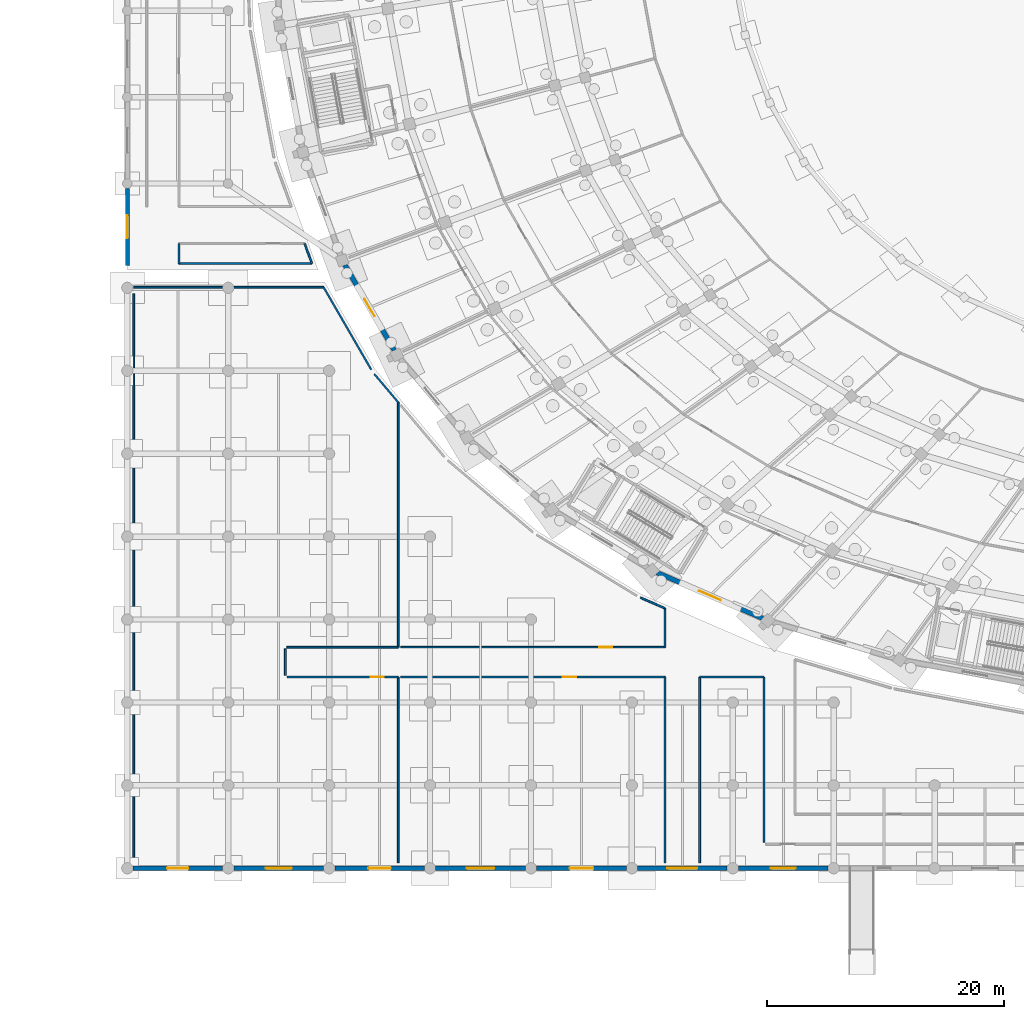
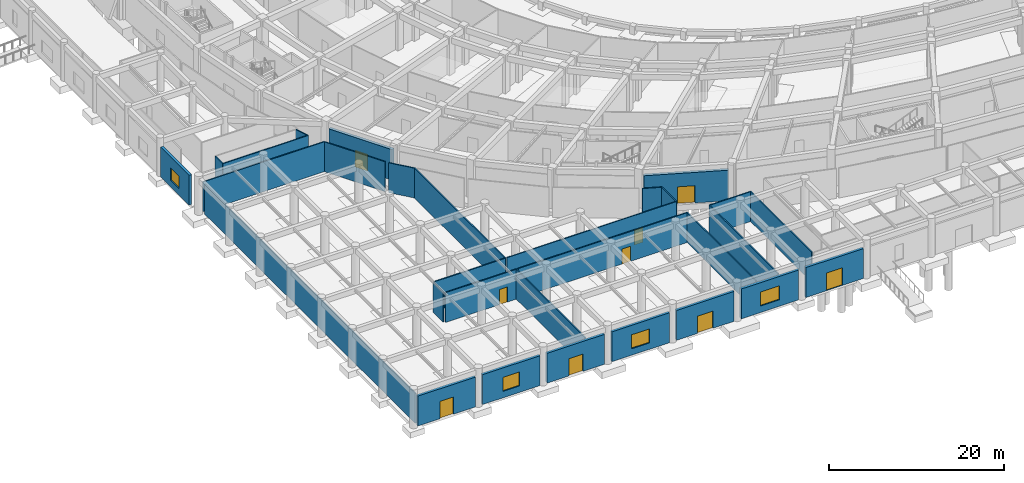
# One storey, part 40 of 88: 30 walls, 9 doors, 4 windows, 13 openings.
"""IFC4 building model written with IfcOpenShell, lengths in metres."""

from ifc_helpers import new_model, si_unit, direction, frame, frame_2d, origin, place, context, subcontext, project, spatial, rectangle, extrude, material, layer, layer_set, type_object, element, fill, save


model = new_model("IFC4")

# Units and contexts
model_context = context("Model", 3, precision=1e-05, world=origin(), true_north=direction((0.0, 1.0)))
body_context = subcontext(model_context, "Body", "Model", "MODEL_VIEW")
ifc_project = project(units=[si_unit("LENGTHUNIT", "METRE"), si_unit("AREAUNIT", "SQUARE_METRE"), si_unit("VOLUMEUNIT", "CUBIC_METRE"), si_unit("PLANEANGLEUNIT", "RADIAN"), si_unit("MASSUNIT", "GRAM", prefix="KILO")], contexts=[model_context])

# Site, building, storey
site_placement = place(None, origin())
site = spatial("IfcSite", under=ifc_project, at=site_placement, CompositionType="ELEMENT")
building_placement = place(site_placement, origin())
building = spatial("IfcBuilding", under=site, at=building_placement, Name="Mphavela Belvedere Stadium", CompositionType="ELEMENT")
storey_placement = place(building_placement, origin())
storey = spatial("IfcBuildingStorey", under=building, at=storey_placement, Name="L00", CompositionType="ELEMENT", Elevation=0.0)

# Wall, opening, door
ifc_material_1 = material(Name="Honed ashlar limestone masonry", Category="masonry")
ifc_layer_1 = layer(ifc_material_1, 0.35009765625)
ifc_layer_set_1 = layer_set([ifc_layer_1], Name="Honed ashlar limestone masonry")
wall_type_1 = type_object("IfcWallType", Name="WAL-EXT-ASHLAR-350", PredefinedType="STANDARD", material=ifc_layer_set_1)
wall_1_placement = place(storey_placement, frame((8.0458984375, 0.0, 0.0), z_axis=(0.0, 0.0, 1.0), x_axis=(-1.0, 0.0, 0.0)))
wall_1 = element("IfcWall", 1, at=wall_1_placement, inside=storey, type_object=wall_type_1, Name="South Axial Triumphal Peristyle Portico outer facade bay L00-01", PredefinedType="STANDARD", context=body_context, shape_type="SweptSolid", body=[
    extrude(rectangle(XDim=7.572998046875, YDim=0.35009765625, at=frame_2d((3.78662109375, 0.0))), origin(), (0.0, 0.0, 1.0), 4.159912109375),
])
opening_1_placement = place(wall_1_placement, frame((2.886474609375, 0.0, 0.0)))
opening_1 = element("IfcOpeningElement", 2, at=opening_1_placement, cuts=wall_1, Name="Opening ED-025", PredefinedType="OPENING", context=body_context, shape_type="SweptSolid", body=[
    extrude(rectangle(XDim=1.800048828125, YDim=2.39990234375, at=frame_2d((0.89990234375, 1.199951171875))), frame((0.0, 0.18505859375, 0.0), z_axis=(0.0, -1.0, 0.0), x_axis=(1.0, 0.0, 0.0)), (0.0, 0.0, 1.0), 0.3701171875),
])
ifc_material_2 = material(Name="Glazed bronze-anodised steel exit doorset", Category="steel")
door_type_1 = type_object("IfcDoorType", Name="DR-EXT-01", OperationType="NOTDEFINED", PredefinedType="DOOR", material=ifc_material_2)
door_1_placement = place(opening_1_placement, origin())
door_1 = element("IfcDoor", 3, at=door_1_placement, inside=storey, type_object=door_type_1, Name="South Axial Triumphal Peristyle Portico ceremonial exit doorset ED-025", OperationType="DOUBLE_DOOR_SINGLE_SWING", OverallHeight=2.39990234375, OverallWidth=1.800048828125, PredefinedType="DOOR", context=body_context, shape_type="SweptSolid", body=[
    extrude(rectangle(XDim=1.800048828125, YDim=2.39990234375, at=frame_2d((0.89990234375, 1.199951171875))), frame((0.0, 0.02490234375, 0.0), z_axis=(0.0, -1.0, 0.0), x_axis=(1.0, 0.0, 0.0)), (0.0, 0.0, 1.0), 0.050048828125),
])
fill(opening_1, door_1)

# Wall, opening, window
wall_2_placement = place(storey_placement, frame((16.56396484375, 0.0, 0.0), z_axis=(0.0, 0.0, 1.0), x_axis=(-1.0, 0.0, 0.0)))
wall_2 = element("IfcWall", 4, at=wall_2_placement, inside=storey, type_object=wall_type_1, Name="South Axial Triumphal Peristyle Portico outer facade bay L00-02", PredefinedType="STANDARD", context=body_context, shape_type="SweptSolid", body=[
    extrude(rectangle(XDim=7.572021484375, YDim=0.35009765625, at=frame_2d((3.7861328125, 0.0))), origin(), (0.0, 0.0, 1.0), 4.159912109375),
])
opening_2_placement = place(wall_2_placement, frame((2.676025390625, 0.0, 0.89990234375)))
opening_2 = element("IfcOpeningElement", 5, at=opening_2_placement, cuts=wall_2, Name="Opening W-031", PredefinedType="OPENING", context=body_context, shape_type="SweptSolid", body=[
    extrude(rectangle(XDim=2.219970703125, YDim=1.949951171875, at=frame_2d((1.10986328125, 0.97509765625))), frame((0.0, 0.18505859375, 0.0), z_axis=(0.0, -1.0, 0.0), x_axis=(1.0, 0.0, 0.0)), (0.0, 0.0, 1.0), 0.3701171875),
])
ifc_material_3 = material(Name="Bronze-anodised thermally broken aluminium window", Category="aluminium")
window_type_1 = type_object("IfcWindowType", Name="WIN-EXT-31", PartitioningType="SINGLE_PANEL", PredefinedType="WINDOW", material=ifc_material_3)
window_1_placement = place(opening_2_placement, origin())
window_1 = element("IfcWindow", 6, at=window_1_placement, inside=storey, type_object=window_type_1, Name="South Axial Triumphal Peristyle Portico classical window W-031", OverallHeight=1.949951171875, OverallWidth=2.219970703125, PartitioningType="SINGLE_PANEL", PredefinedType="WINDOW", context=body_context, shape_type="SweptSolid", body=[
    extrude(rectangle(XDim=2.219970703125, YDim=1.949951171875, at=frame_2d((1.10986328125, 0.97509765625))), frame((0.0, 0.030029296875, 0.0), z_axis=(0.0, -1.0, 0.0), x_axis=(1.0, 0.0, 0.0)), (0.0, 0.0, 1.0), 0.06005859375),
])
fill(opening_2, window_1)

# Wall, opening, door
wall_3_placement = place(storey_placement, frame((25.0830078125, 0.0, 0.0), z_axis=(0.0, 0.0, 1.0), x_axis=(-1.0, 0.0, 0.0)))
wall_3 = element("IfcWall", 7, at=wall_3_placement, inside=storey, type_object=wall_type_1, Name="South Axial Triumphal Peristyle Portico outer facade bay L00-03", PredefinedType="STANDARD", context=body_context, shape_type="SweptSolid", body=[
    extrude(rectangle(XDim=7.572998046875, YDim=0.35009765625, at=frame_2d((3.78662109375, 0.0))), origin(), (0.0, 0.0, 1.0), 4.159912109375),
])
opening_3_placement = place(wall_3_placement, frame((2.83642578125, 0.0, 0.0)))
opening_3 = element("IfcOpeningElement", 8, at=opening_3_placement, cuts=wall_3, Name="Opening ED-026", PredefinedType="OPENING", context=body_context, shape_type="SweptSolid", body=[
    extrude(rectangle(XDim=1.89990234375, YDim=2.39990234375, at=frame_2d((0.949951171875, 1.199951171875))), frame((0.0, 0.18505859375, 0.0), z_axis=(0.0, -1.0, 0.0), x_axis=(1.0, 0.0, 0.0)), (0.0, 0.0, 1.0), 0.3701171875),
])
ifc_material_4 = material(Name="Glazed bronze-anodised steel exit doorset", Category="steel")
door_type_2 = type_object("IfcDoorType", Name="DR-EXT-02", OperationType="NOTDEFINED", PredefinedType="DOOR", material=ifc_material_4)
door_2_placement = place(opening_3_placement, origin())
door_2 = element("IfcDoor", 9, at=door_2_placement, inside=storey, type_object=door_type_2, Name="South Axial Triumphal Peristyle Portico ceremonial exit doorset ED-026", OperationType="DOUBLE_DOOR_SINGLE_SWING", OverallHeight=2.39990234375, OverallWidth=1.89990234375, PredefinedType="DOOR", context=body_context, shape_type="SweptSolid", body=[
    extrude(rectangle(XDim=1.89990234375, YDim=2.39990234375, at=frame_2d((0.949951171875, 1.199951171875))), frame((0.0, 0.02490234375, 0.0), z_axis=(0.0, -1.0, 0.0), x_axis=(1.0, 0.0, 0.0)), (0.0, 0.0, 1.0), 0.050048828125),
])
fill(opening_3, door_2)

# Wall, opening, window
wall_4_placement = place(storey_placement, frame((33.60107421875, 0.0, 0.0), z_axis=(0.0, 0.0, 1.0), x_axis=(-1.0, 0.0, 0.0)))
wall_4 = element("IfcWall", 10, at=wall_4_placement, inside=storey, type_object=wall_type_1, Name="South Axial Triumphal Peristyle Portico outer facade bay L00-04", PredefinedType="STANDARD", context=body_context, shape_type="SweptSolid", body=[
    extrude(rectangle(XDim=7.572021484375, YDim=0.35009765625, at=frame_2d((3.7861328125, 0.0))), origin(), (0.0, 0.0, 1.0), 4.159912109375),
])
opening_4_placement = place(wall_4_placement, frame((2.60595703125, 0.0, 0.89990234375)))
opening_4 = element("IfcOpeningElement", 11, at=opening_4_placement, cuts=wall_4, Name="Opening W-032", PredefinedType="OPENING", context=body_context, shape_type="SweptSolid", body=[
    extrude(rectangle(XDim=2.360107421875, YDim=1.949951171875, at=frame_2d((1.18017578125, 0.97509765625))), frame((0.0, 0.18505859375, 0.0), z_axis=(0.0, -1.0, 0.0), x_axis=(1.0, 0.0, 0.0)), (0.0, 0.0, 1.0), 0.3701171875),
])
ifc_material_5 = material(Name="Bronze-anodised thermally broken aluminium window", Category="aluminium")
window_type_2 = type_object("IfcWindowType", Name="WIN-EXT-32", PartitioningType="SINGLE_PANEL", PredefinedType="WINDOW", material=ifc_material_5)
window_2_placement = place(opening_4_placement, origin())
window_2 = element("IfcWindow", 12, at=window_2_placement, inside=storey, type_object=window_type_2, Name="South Axial Triumphal Peristyle Portico classical window W-032", OverallHeight=1.949951171875, OverallWidth=2.360107421875, PartitioningType="SINGLE_PANEL", PredefinedType="WINDOW", context=body_context, shape_type="SweptSolid", body=[
    extrude(rectangle(XDim=2.360107421875, YDim=1.949951171875, at=frame_2d((1.18017578125, 0.97509765625))), frame((0.0, 0.030029296875, 0.0), z_axis=(0.0, -1.0, 0.0), x_axis=(1.0, 0.0, 0.0)), (0.0, 0.0, 1.0), 0.06005859375),
])
fill(opening_4, window_2)

# Wall, opening, door
wall_5_placement = place(storey_placement, frame((42.1201171875, 0.0, 0.0), z_axis=(0.0, 0.0, 1.0), x_axis=(-1.0, 0.0, 0.0)))
wall_5 = element("IfcWall", 13, at=wall_5_placement, inside=storey, type_object=wall_type_1, Name="South Axial Triumphal Peristyle Portico outer facade bay L00-05", PredefinedType="STANDARD", context=body_context, shape_type="SweptSolid", body=[
    extrude(rectangle(XDim=7.572998046875, YDim=0.35009765625, at=frame_2d((3.78662109375, 0.0))), origin(), (0.0, 0.0, 1.0), 4.159912109375),
])
opening_5_placement = place(wall_5_placement, frame((2.78662109375, 0.0, 0.0)))
opening_5 = element("IfcOpeningElement", 14, at=opening_5_placement, cuts=wall_5, Name="Opening ED-027", PredefinedType="OPENING", context=body_context, shape_type="SweptSolid", body=[
    extrude(rectangle(XDim=2.0, YDim=2.39990234375, at=frame_2d((1.0, 1.199951171875))), frame((0.0, 0.18505859375, 0.0), z_axis=(0.0, -1.0, 0.0), x_axis=(1.0, 0.0, 0.0)), (0.0, 0.0, 1.0), 0.3701171875),
])
ifc_material_6 = material(Name="Glazed bronze-anodised steel exit doorset", Category="steel")
door_type_3 = type_object("IfcDoorType", Name="DR-EXT-03", OperationType="NOTDEFINED", PredefinedType="DOOR", material=ifc_material_6)
door_3_placement = place(opening_5_placement, origin())
door_3 = element("IfcDoor", 15, at=door_3_placement, inside=storey, type_object=door_type_3, Name="South Axial Triumphal Peristyle Portico ceremonial exit doorset ED-027", OperationType="DOUBLE_DOOR_SINGLE_SWING", OverallHeight=2.39990234375, OverallWidth=2.0, PredefinedType="DOOR", context=body_context, shape_type="SweptSolid", body=[
    extrude(rectangle(XDim=2.0, YDim=2.39990234375, at=frame_2d((1.0, 1.199951171875))), frame((0.0, 0.02490234375, 0.0), z_axis=(0.0, -1.0, 0.0), x_axis=(1.0, 0.0, 0.0)), (0.0, 0.0, 1.0), 0.050048828125),
])
fill(opening_5, door_3)

# Wall, opening, window
wall_6_placement = place(storey_placement, frame((50.637939453125, 0.0, 0.0), z_axis=(0.0, 0.0, 1.0), x_axis=(-1.0, 0.0, 0.0)))
wall_6 = element("IfcWall", 16, at=wall_6_placement, inside=storey, type_object=wall_type_1, Name="South Axial Triumphal Peristyle Portico outer facade bay L00-06", PredefinedType="STANDARD", context=body_context, shape_type="SweptSolid", body=[
    extrude(rectangle(XDim=7.572021484375, YDim=0.35009765625, at=frame_2d((3.7861328125, 0.0))), origin(), (0.0, 0.0, 1.0), 4.159912109375),
])
opening_6_placement = place(wall_6_placement, frame((2.52587890625, 0.0, 0.89990234375)))
opening_6 = element("IfcOpeningElement", 17, at=opening_6_placement, cuts=wall_6, Name="Opening W-033", PredefinedType="OPENING", context=body_context, shape_type="SweptSolid", body=[
    extrude(rectangle(XDim=2.52001953125, YDim=1.949951171875, at=frame_2d((1.260009765625, 0.97509765625))), frame((0.0, 0.18505859375, 0.0), z_axis=(0.0, -1.0, 0.0), x_axis=(1.0, 0.0, 0.0)), (0.0, 0.0, 1.0), 0.3701171875),
])
ifc_material_7 = material(Name="Bronze-anodised thermally broken aluminium window", Category="aluminium")
window_type_3 = type_object("IfcWindowType", Name="WIN-EXT-33", PartitioningType="SINGLE_PANEL", PredefinedType="WINDOW", material=ifc_material_7)
window_3_placement = place(opening_6_placement, origin())
window_3 = element("IfcWindow", 18, at=window_3_placement, inside=storey, type_object=window_type_3, Name="South Axial Triumphal Peristyle Portico classical window W-033", OverallHeight=1.949951171875, OverallWidth=2.52001953125, PartitioningType="SINGLE_PANEL", PredefinedType="WINDOW", context=body_context, shape_type="SweptSolid", body=[
    extrude(rectangle(XDim=2.52001953125, YDim=1.949951171875, at=frame_2d((1.260009765625, 0.97509765625))), frame((0.0, 0.030029296875, 0.0), z_axis=(0.0, -1.0, 0.0), x_axis=(1.0, 0.0, 0.0)), (0.0, 0.0, 1.0), 0.06005859375),
])
fill(opening_6, window_3)

# Wall, opening, door
wall_7_placement = place(storey_placement, frame((59.156982421875, 0.0, 0.0), z_axis=(0.0, 0.0, 1.0), x_axis=(-1.0, 0.0, 0.0)))
wall_7 = element("IfcWall", 19, at=wall_7_placement, inside=storey, type_object=wall_type_1, Name="South Axial Triumphal Peristyle Portico outer facade bay L00-07", PredefinedType="STANDARD", context=body_context, shape_type="SweptSolid", body=[
    extrude(rectangle(XDim=7.572998046875, YDim=0.35009765625, at=frame_2d((3.78662109375, 0.0))), origin(), (0.0, 0.0, 1.0), 4.159912109375),
])
opening_7_placement = place(wall_7_placement, frame((2.736572265625, 0.0, 0.0)))
opening_7 = element("IfcOpeningElement", 20, at=opening_7_placement, cuts=wall_7, Name="Opening ED-028", PredefinedType="OPENING", context=body_context, shape_type="SweptSolid", body=[
    extrude(rectangle(XDim=2.10009765625, YDim=2.449951171875, at=frame_2d((1.050048828125, 1.22509765625))), frame((0.0, 0.18505859375, 0.0), z_axis=(0.0, -1.0, 0.0), x_axis=(1.0, 0.0, 0.0)), (0.0, 0.0, 1.0), 0.3701171875),
])
ifc_material_8 = material(Name="Glazed bronze-anodised steel exit doorset", Category="steel")
door_type_4 = type_object("IfcDoorType", Name="DR-EXT-04", OperationType="NOTDEFINED", PredefinedType="DOOR", material=ifc_material_8)
door_4_placement = place(opening_7_placement, origin())
door_4 = element("IfcDoor", 21, at=door_4_placement, inside=storey, type_object=door_type_4, Name="South Axial Triumphal Peristyle Portico ceremonial exit doorset ED-028", OperationType="DOUBLE_DOOR_SINGLE_SWING", OverallHeight=2.449951171875, OverallWidth=2.10009765625, PredefinedType="DOOR", context=body_context, shape_type="SweptSolid", body=[
    extrude(rectangle(XDim=2.10009765625, YDim=2.449951171875, at=frame_2d((1.050048828125, 1.22509765625))), frame((0.0, 0.02490234375, 0.0), z_axis=(0.0, -1.0, 0.0), x_axis=(1.0, 0.0, 0.0)), (0.0, 0.0, 1.0), 0.050048828125),
])
fill(opening_7, door_4)

# Wall, opening, window
wall_8_placement = place(storey_placement, frame((0.0, 50.89794921875, 0.0), z_axis=(0.0, 0.0, 1.0), x_axis=(0.0, 1.0, 0.0)))
wall_8 = element("IfcWall", 22, at=wall_8_placement, inside=storey, type_object=wall_type_1, Name="West Planted Eaves Peristyle Colonnade outer facade bay L00-01", PredefinedType="STANDARD", context=body_context, shape_type="SweptSolid", body=[
    extrude(rectangle(XDim=6.504150390625, YDim=0.35009765625, at=frame_2d((3.251953125, 0.0))), origin(), (0.0, 0.0, 1.0), 4.159912109375),
])
opening_8_placement = place(wall_8_placement, frame((2.281982421875, 0.0, 0.89990234375)))
opening_8 = element("IfcOpeningElement", 23, at=opening_8_placement, cuts=wall_8, Name="Opening W-238", PredefinedType="OPENING", context=body_context, shape_type="SweptSolid", body=[
    extrude(rectangle(XDim=1.93994140625, YDim=1.75, at=frame_2d((0.969970703125, 0.875))), frame((0.0, 0.18505859375, 0.0), z_axis=(0.0, -1.0, 0.0), x_axis=(1.0, 0.0, 0.0)), (0.0, 0.0, 1.0), 0.3701171875),
])
ifc_material_9 = material(Name="Bronze-anodised thermally broken aluminium window", Category="aluminium")
window_type_4 = type_object("IfcWindowType", Name="WIN-EXT-18", PartitioningType="SINGLE_PANEL", PredefinedType="WINDOW", material=ifc_material_9)
window_4_placement = place(opening_8_placement, origin())
window_4 = element("IfcWindow", 24, at=window_4_placement, inside=storey, type_object=window_type_4, Name="West Planted Eaves Peristyle Colonnade classical window W-238", OverallHeight=1.75, OverallWidth=1.93994140625, PartitioningType="SINGLE_PANEL", PredefinedType="WINDOW", context=body_context, shape_type="SweptSolid", body=[
    extrude(rectangle(XDim=1.93994140625, YDim=1.75, at=frame_2d((0.969970703125, 0.875))), frame((0.0, 0.030029296875, 0.0), z_axis=(0.0, -1.0, 0.0), x_axis=(1.0, 0.0, 0.0)), (0.0, 0.0, 1.0), 0.06005859375),
])
fill(opening_8, window_4)

# Wall, opening, door
ifc_material_10 = material(Name="Rusticated ashlar limestone masonry", Category="masonry")
ifc_layer_2 = layer(ifc_material_10, 0.39990234375)
ifc_layer_set_2 = layer_set([ifc_layer_2], Name="Rusticated ashlar limestone masonry")
wall_type_2 = type_object("IfcWallType", Name="WAL-EXT-ASHLAR-400", PredefinedType="STANDARD", material=ifc_layer_set_2)
wall_9_placement = place(storey_placement, frame((22.533203125, 43.726318359375, 0.0), z_axis=(0.0, 0.0, 1.0), x_axis=(-0.500543493437, 0.865711390232, 0.0)))
wall_9 = element("IfcWall", 25, at=wall_9_placement, inside=storey, type_object=wall_type_2, Name="Ground plinth rusticated ashlar wall 28", PredefinedType="STANDARD", context=body_context, shape_type="SweptSolid", body=[
    extrude(rectangle(XDim=8.321044921875, YDim=0.39990234375, at=frame_2d((4.16064453125, 0.0))), origin(), (0.0, 0.0, 1.0), 4.25),
])
opening_9_placement = place(wall_9_placement, frame((3.310546875, 0.0, 0.0)))
opening_9 = element("IfcOpeningElement", 26, at=opening_9_placement, cuts=wall_9, Name="Opening ED-008", PredefinedType="OPENING", context=body_context, shape_type="SweptSolid", body=[
    extrude(rectangle(XDim=1.699951171875, YDim=2.35009765625, at=frame_2d((0.85009765625, 1.175048828125))), frame((0.0, 0.2099609375, 0.0), z_axis=(0.0, -1.0, 0.0), x_axis=(1.0, 0.0, 0.0)), (0.0, 0.0, 1.0), 0.419921875),
])
ifc_material_11 = material(Name="Glazed bronze-anodised steel exit doorset", Category="steel")
door_type_5 = type_object("IfcDoorType", Name="DR-EXT-08", OperationType="NOTDEFINED", PredefinedType="DOOR", material=ifc_material_11)
door_5_placement = place(opening_9_placement, origin())
door_5 = element("IfcDoor", 27, at=door_5_placement, inside=storey, type_object=door_type_5, Name="Spectator final exit doorset ED-008", OperationType="DOUBLE_DOOR_SINGLE_SWING", OverallHeight=2.35009765625, OverallWidth=1.699951171875, PredefinedType="DOOR", context=body_context, shape_type="SweptSolid", body=[
    extrude(rectangle(XDim=1.699951171875, YDim=2.35009765625, at=frame_2d((0.85009765625, 1.175048828125))), frame((0.0, 0.02490234375, 0.0), z_axis=(0.0, -1.0, 0.0), x_axis=(1.0, 0.0, 0.0)), (0.0, 0.0, 1.0), 0.050048828125),
])
fill(opening_9, door_5)

wall_10_placement = place(storey_placement, frame((53.6513671875, 21.0869140625, 0.0), z_axis=(0.0, 0.0, 1.0), x_axis=(-0.917498309763, 0.397739678159, 0.0)))
wall_10 = element("IfcWall", 28, at=wall_10_placement, inside=storey, type_object=wall_type_2, Name="Ground plinth rusticated ashlar wall 32", PredefinedType="STANDARD", context=body_context, shape_type="SweptSolid", body=[
    extrude(rectangle(XDim=9.739990234375, YDim=0.39990234375, at=frame_2d((4.8701171875, 0.0))), origin(), (0.0, 0.0, 1.0), 4.25),
])
opening_10_placement = place(wall_10_placement, frame((3.8701171875, 0.0, 0.0)))
opening_10 = element("IfcOpeningElement", 29, at=opening_10_placement, cuts=wall_10, Name="Opening ED-011", PredefinedType="OPENING", context=body_context, shape_type="SweptSolid", body=[
    extrude(rectangle(XDim=2.0, YDim=2.39990234375, at=frame_2d((1.0, 1.199951171875))), frame((0.0, 0.2099609375, 0.0), z_axis=(0.0, -1.0, 0.0), x_axis=(1.0, 0.0, 0.0)), (0.0, 0.0, 1.0), 0.419921875),
])
door_6_placement = place(opening_10_placement, origin())
door_6 = element("IfcDoor", 30, at=door_6_placement, inside=storey, type_object=door_type_3, Name="Spectator final exit doorset ED-011", OperationType="DOUBLE_DOOR_SINGLE_SWING", OverallHeight=2.39990234375, OverallWidth=2.0, PredefinedType="DOOR", context=body_context, shape_type="SweptSolid", body=[
    extrude(rectangle(XDim=2.0, YDim=2.39990234375, at=frame_2d((1.0, 1.199951171875))), frame((0.0, 0.02490234375, 0.0), z_axis=(0.0, -1.0, 0.0), x_axis=(1.0, 0.0, 0.0)), (0.0, 0.0, 1.0), 0.050048828125),
])
fill(opening_10, door_6)

ifc_material_12 = material(Name="Moisture-resistant sanitary partition assembly")
ifc_layer_3 = layer(ifc_material_12, 0.125)
ifc_layer_set_3 = layer_set([ifc_layer_3], Name="Moisture-resistant sanitary partition assembly")
wall_type_3 = type_object("IfcWallType", Name="WAL-PART-125", PredefinedType="PARTITIONING", material=ifc_layer_set_3)
wall_11_placement = place(storey_placement, frame((45.389892578125, 18.659912109375, 0.0), z_axis=(0.0, 0.0, 1.0), x_axis=(-1.0, 0.0, 0.0)))
wall_11 = element("IfcWall", 31, at=wall_11_placement, inside=storey, type_object=wall_type_3, Name="Room L00-164 corridor partition", PredefinedType="PARTITIONING", context=body_context, shape_type="SweptSolid", body=[
    extrude(rectangle(XDim=22.31982421875, YDim=0.125, at=frame_2d((11.159912109375, 0.0))), origin(), (0.0, 0.0, 1.0), 4.14990234375),
])
opening_11_placement = place(wall_11_placement, frame((4.43603515625, 0.0, 0.0)))
opening_11 = element("IfcOpeningElement", 32, at=opening_11_placement, cuts=wall_11, Name="Opening ID-366", PredefinedType="OPENING", context=body_context, shape_type="SweptSolid", body=[
    extrude(rectangle(XDim=1.10009765625, YDim=2.10009765625, at=frame_2d((0.550048828125, 1.050048828125))), frame((0.0, 0.072509765625, 0.0), z_axis=(0.0, -1.0, 0.0), x_axis=(1.0, 0.0, 0.0)), (0.0, 0.0, 1.0), 0.14501953125),
])
ifc_material_13 = material(Name="Hardwood acoustic timber doorset", Category="wood")
door_type_6 = type_object("IfcDoorType", Name="DR-INT-06", OperationType="NOTDEFINED", PredefinedType="DOOR", material=ifc_material_13)
door_7_placement = place(opening_11_placement, origin())
door_7 = element("IfcDoor", 33, at=door_7_placement, inside=storey, type_object=door_type_6, Name="Room L00-164 entrance door ID-366", OperationType="SINGLE_SWING_RIGHT", OverallHeight=2.10009765625, OverallWidth=1.10009765625, PredefinedType="DOOR", context=body_context, shape_type="SweptSolid", body=[
    extrude(rectangle(XDim=1.10009765625, YDim=2.10009765625, at=frame_2d((0.550048828125, 1.050048828125))), frame((0.0, 0.02490234375, 0.0), z_axis=(0.0, -1.0, 0.0), x_axis=(1.0, 0.0, 0.0)), (0.0, 0.0, 1.0), 0.050048828125),
])
fill(opening_11, door_7)

ifc_material_14 = material(Name="Acoustic gypsum stud partition assembly")
ifc_layer_4 = layer(ifc_material_14, 0.14990234375)
ifc_layer_set_4 = layer_set([ifc_layer_4], Name="Acoustic gypsum stud partition assembly")
wall_type_4 = type_object("IfcWallType", Name="WAL-PART-150", PredefinedType="PARTITIONING", material=ifc_layer_set_4)
wall_12_placement = place(storey_placement, frame((13.5, 16.139892578125, 0.0), z_axis=(0.0, 0.0, 1.0), x_axis=(1.0, 0.0, 0.0)))
wall_12 = element("IfcWall", 34, at=wall_12_placement, inside=storey, type_object=wall_type_4, Name="Room L00-163 corridor partition", PredefinedType="PARTITIONING", context=body_context, shape_type="SweptSolid", body=[
    extrude(rectangle(XDim=9.3701171875, YDim=0.14990234375, at=frame_2d((4.68505859375, 0.0))), origin(), (0.0, 0.0, 1.0), 4.14990234375),
])
opening_12_placement = place(wall_12_placement, frame((7.069580078125, 0.0, 0.0)))
opening_12 = element("IfcOpeningElement", 35, at=opening_12_placement, cuts=wall_12, Name="Opening ID-365", PredefinedType="OPENING", context=body_context, shape_type="SweptSolid", body=[
    extrude(rectangle(XDim=1.06005859375, YDim=2.10009765625, at=frame_2d((0.530029296875, 1.050048828125))), frame((0.0, 0.0849609375, 0.0), z_axis=(0.0, -1.0, 0.0), x_axis=(1.0, 0.0, 0.0)), (0.0, 0.0, 1.0), 0.169921875),
])
ifc_material_15 = material(Name="Hardwood acoustic timber doorset", Category="wood")
door_type_7 = type_object("IfcDoorType", Name="DR-INT-05", OperationType="NOTDEFINED", PredefinedType="DOOR", material=ifc_material_15)
door_8_placement = place(opening_12_placement, origin())
door_8 = element("IfcDoor", 36, at=door_8_placement, inside=storey, type_object=door_type_7, Name="Room L00-163 entrance door ID-365", OperationType="SINGLE_SWING_LEFT", OverallHeight=2.10009765625, OverallWidth=1.06005859375, PredefinedType="DOOR", context=body_context, shape_type="SweptSolid", body=[
    extrude(rectangle(XDim=1.06005859375, YDim=2.10009765625, at=frame_2d((0.530029296875, 1.050048828125))), frame((0.0, 0.02490234375, 0.0), z_axis=(0.0, -1.0, 0.0), x_axis=(1.0, 0.0, 0.0)), (0.0, 0.0, 1.0), 0.050048828125),
])
fill(opening_12, door_8)

wall_13_placement = place(storey_placement, frame((23.070068359375, 16.139892578125, 0.0), z_axis=(0.0, 0.0, 1.0), x_axis=(1.0, 0.0, 0.0)))
wall_13 = element("IfcWall", 37, at=wall_13_placement, inside=storey, type_object=wall_type_4, Name="Room L00-165 corridor partition", PredefinedType="PARTITIONING", context=body_context, shape_type="SweptSolid", body=[
    extrude(rectangle(XDim=22.31982421875, YDim=0.14990234375, at=frame_2d((11.159912109375, 0.0))), origin(), (0.0, 0.0, 1.0), 4.14990234375),
])
opening_13_placement = place(wall_13_placement, frame((13.6708984375, 0.0, 0.0)))
opening_13 = element("IfcOpeningElement", 38, at=opening_13_placement, cuts=wall_13, Name="Opening ID-367", PredefinedType="OPENING", context=body_context, shape_type="SweptSolid", body=[
    extrude(rectangle(XDim=1.139892578125, YDim=2.10009765625, at=frame_2d((0.56982421875, 1.050048828125))), frame((0.0, 0.0849609375, 0.0), z_axis=(0.0, -1.0, 0.0), x_axis=(1.0, 0.0, 0.0)), (0.0, 0.0, 1.0), 0.169921875),
])
ifc_material_16 = material(Name="Hardwood acoustic timber doorset", Category="wood")
door_type_8 = type_object("IfcDoorType", Name="DR-INT-07", OperationType="NOTDEFINED", PredefinedType="DOOR", material=ifc_material_16)
door_9_placement = place(opening_13_placement, origin())
door_9 = element("IfcDoor", 39, at=door_9_placement, inside=storey, type_object=door_type_8, Name="Room L00-165 entrance door ID-367", OperationType="SINGLE_SWING_LEFT", OverallHeight=2.10009765625, OverallWidth=1.139892578125, PredefinedType="DOOR", context=body_context, shape_type="SweptSolid", body=[
    extrude(rectangle(XDim=1.139892578125, YDim=2.10009765625, at=frame_2d((0.56982421875, 1.050048828125))), frame((0.0, 0.02490234375, 0.0), z_axis=(0.0, -1.0, 0.0), x_axis=(1.0, 0.0, 0.0)), (0.0, 0.0, 1.0), 0.050048828125),
])
fill(opening_13, door_9)

# Walls
wall_14_placement = place(storey_placement, frame((16.5673828125, 49.050048828125, 0.0), z_axis=(0.0, 0.0, 1.0), x_axis=(0.500545605998, -0.865710168773, 0.0)))
element("IfcWall", 40, at=wall_14_placement, inside=storey, type_object=wall_type_4, Name="Room divider partition L00-0643", PredefinedType="PARTITIONING", context=body_context, shape_type="SweptSolid", body=[
    extrude(rectangle(XDim=8.04296875, YDim=0.14990234375, at=frame_2d((4.021484375, 0.0))), origin(), (0.0, 0.0, 1.0), 4.14990234375),
])
wall_15_placement = place(storey_placement, frame((20.847412109375, 41.7255859375, 0.0), z_axis=(0.0, 0.0, 1.0), x_axis=(0.64518788911, -0.764023944485, 0.0)))
element("IfcWall", 41, at=wall_15_placement, inside=storey, type_object=wall_type_4, Name="Room divider partition L00-0644", PredefinedType="PARTITIONING", context=body_context, shape_type="SweptSolid", body=[
    extrude(rectangle(XDim=3.135009765625, YDim=0.14990234375, at=frame_2d((1.5673828125, 0.0))), origin(), (0.0, 0.0, 1.0), 4.14990234375),
])
wall_16_placement = place(storey_placement, frame((22.8701171875, 39.330322265625, 0.0), z_axis=(0.0, 0.0, 1.0), x_axis=(0.0, -1.0, 0.0)))
element("IfcWall", 42, at=wall_16_placement, inside=storey, type_object=wall_type_4, Name="Room divider partition L00-0645", PredefinedType="PARTITIONING", context=body_context, shape_type="SweptSolid", body=[
    extrude(rectangle(XDim=20.67041015625, YDim=0.14990234375, at=frame_2d((10.335205078125, 0.0))), origin(), (0.0, 0.0, 1.0), 4.14990234375),
])
wall_17_placement = place(storey_placement, frame((22.8701171875, 18.659912109375, 0.0), z_axis=(0.0, 0.0, 1.0), x_axis=(-0.999999951445, -0.000311623544, 0.0)))
element("IfcWall", 43, at=wall_17_placement, inside=storey, type_object=wall_type_4, Name="Room divider partition L00-0646", PredefinedType="PARTITIONING", context=body_context, shape_type="SweptSolid", body=[
    extrude(rectangle(XDim=9.4013671875, YDim=0.14990234375, at=frame_2d((4.70068359375, 0.0))), origin(), (0.0, 0.0, 1.0), 4.14990234375),
])
wall_18_placement = place(storey_placement, frame((13.3408203125, 18.515625, 0.0), z_axis=(0.0, 0.0, 1.0), x_axis=(0.0, -1.0, 0.0)))
element("IfcWall", 44, at=wall_18_placement, inside=storey, type_object=wall_type_4, Name="Room divider partition L00-0647", PredefinedType="PARTITIONING", context=body_context, shape_type="SweptSolid", body=[
    extrude(rectangle(XDim=2.2314453125, YDim=0.14990234375, at=frame_2d((1.11572265625, 0.0))), origin(), (0.0, 0.0, 1.0), 4.14990234375),
])
wall_19_placement = place(storey_placement, frame((22.8701171875, 16.139892578125, 0.0), z_axis=(0.0, 0.0, 1.0), x_axis=(0.0, -1.0, 0.0)))
element("IfcWall", 45, at=wall_19_placement, inside=storey, type_object=wall_type_4, Name="Room divider partition L00-0648", PredefinedType="PARTITIONING", context=body_context, shape_type="SweptSolid", body=[
    extrude(rectangle(XDim=15.68994140625, YDim=0.14990234375, at=frame_2d((7.844970703125, 0.0))), origin(), (0.0, 0.0, 1.0), 4.14990234375),
])
wall_20_placement = place(storey_placement, frame((0.550048828125, 0.449951171875, 0.0), z_axis=(0.0, 0.0, 1.0), x_axis=(0.0, 1.0, 0.0)))
element("IfcWall", 46, at=wall_20_placement, inside=storey, type_object=wall_type_4, Name="Room divider partition L00-0649", PredefinedType="PARTITIONING", context=body_context, shape_type="SweptSolid", body=[
    extrude(rectangle(XDim=48.050048828125, YDim=0.14990234375, at=frame_2d((24.02490234375, 0.0))), origin(), (0.0, 0.0, 1.0), 4.14990234375),
])
wall_21_placement = place(storey_placement, frame((0.550048828125, 49.050048828125, 0.0), z_axis=(0.0, 0.0, 1.0), x_axis=(1.0, 0.0, 0.0)))
element("IfcWall", 47, at=wall_21_placement, inside=storey, type_object=wall_type_4, Name="Room divider partition L00-0650", PredefinedType="PARTITIONING", context=body_context, shape_type="SweptSolid", body=[
    extrude(rectangle(XDim=16.017333984375, YDim=0.14990234375, at=frame_2d((8.0087890625, 0.0))), origin(), (0.0, 0.0, 1.0), 4.14990234375),
])
wall_22_placement = place(storey_placement, frame((43.3095703125, 22.845458984375, 0.0), z_axis=(0.0, 0.0, 1.0), x_axis=(0.917454774934, -0.397840088415, 0.0)))
element("IfcWall", 48, at=wall_22_placement, inside=storey, type_object=wall_type_4, Name="Room divider partition L00-0653", PredefinedType="PARTITIONING", context=body_context, shape_type="SweptSolid", body=[
    extrude(rectangle(XDim=2.267578125, YDim=0.14990234375, at=frame_2d((1.1337890625, 0.0))), origin(), (0.0, 0.0, 1.0), 4.14990234375),
])
wall_23_placement = place(storey_placement, frame((45.389892578125, 21.943359375, 0.0), z_axis=(0.0, 0.0, 1.0), x_axis=(0.0, -1.0, 0.0)))
element("IfcWall", 49, at=wall_23_placement, inside=storey, type_object=wall_type_4, Name="Room divider partition L00-0654", PredefinedType="PARTITIONING", context=body_context, shape_type="SweptSolid", body=[
    extrude(rectangle(XDim=3.283447265625, YDim=0.14990234375, at=frame_2d((1.6416015625, 0.0))), origin(), (0.0, 0.0, 1.0), 4.14990234375),
])
wall_24_placement = place(storey_placement, frame((45.389892578125, 16.139892578125, 0.0), z_axis=(0.0, 0.0, 1.0), x_axis=(0.0, -1.0, 0.0)))
element("IfcWall", 50, at=wall_24_placement, inside=storey, type_object=wall_type_4, Name="Room divider partition L00-0656", PredefinedType="PARTITIONING", context=body_context, shape_type="SweptSolid", body=[
    extrude(rectangle(XDim=15.68994140625, YDim=0.14990234375, at=frame_2d((7.844970703125, 0.0))), origin(), (0.0, 0.0, 1.0), 4.14990234375),
])
wall_25_placement = place(storey_placement, frame((53.739990234375, 16.139892578125, 0.0), z_axis=(0.0, 0.0, 1.0), x_axis=(0.0, -1.0, 0.0)))
element("IfcWall", 51, at=wall_25_placement, inside=storey, type_object=wall_type_4, Name="Room divider partition L00-0657", PredefinedType="PARTITIONING", context=body_context, shape_type="SweptSolid", body=[
    extrude(rectangle(XDim=13.93994140625, YDim=0.14990234375, at=frame_2d((6.969970703125, 0.0))), origin(), (0.0, 0.0, 1.0), 4.14990234375),
])
wall_26_placement = place(storey_placement, frame((48.31005859375, 0.449951171875, 0.0), z_axis=(0.0, 0.0, 1.0), x_axis=(0.0, 1.0, 0.0)))
element("IfcWall", 52, at=wall_26_placement, inside=storey, type_object=wall_type_4, Name="Room divider partition L00-0659", PredefinedType="PARTITIONING", context=body_context, shape_type="SweptSolid", body=[
    extrude(rectangle(XDim=15.68994140625, YDim=0.14990234375, at=frame_2d((7.844970703125, 0.0))), origin(), (0.0, 0.0, 1.0), 4.14990234375),
])
wall_27_placement = place(storey_placement, frame((48.31005859375, 16.139892578125, 0.0), z_axis=(0.0, 0.0, 1.0), x_axis=(1.0, 0.0, 0.0)))
element("IfcWall", 53, at=wall_27_placement, inside=storey, type_object=wall_type_4, Name="Room divider partition L00-0660", PredefinedType="PARTITIONING", context=body_context, shape_type="SweptSolid", body=[
    extrude(rectangle(XDim=5.429931640625, YDim=0.14990234375, at=frame_2d((2.71484375, 0.0))), origin(), (0.0, 0.0, 1.0), 4.14990234375),
])
wall_28_placement = place(storey_placement, frame((14.968505859375, 52.739990234375, 0.0), z_axis=(0.0, 0.0, 1.0), x_axis=(0.341012375502, -0.940058806541, 0.0)))
element("IfcWall", 54, at=wall_28_placement, inside=storey, type_object=wall_type_4, Name="Room divider partition L00-1134", PredefinedType="PARTITIONING", context=body_context, shape_type="SweptSolid", body=[
    extrude(rectangle(XDim=1.797607421875, YDim=0.14990234375, at=frame_2d((0.89892578125, 0.0))), origin(), (0.0, 0.0, 1.0), 4.14990234375),
])
wall_29_placement = place(storey_placement, frame((15.58154296875, 51.050048828125, 0.0), z_axis=(0.0, 0.0, 1.0), x_axis=(-1.0, 0.0, 0.0)))
element("IfcWall", 55, at=wall_29_placement, inside=storey, type_object=wall_type_4, Name="Room divider partition L00-1135", PredefinedType="PARTITIONING", context=body_context, shape_type="SweptSolid", body=[
    extrude(rectangle(XDim=11.221435546875, YDim=0.14990234375, at=frame_2d((5.61083984375, 0.0))), origin(), (0.0, 0.0, 1.0), 4.14990234375),
])
wall_30_placement = place(storey_placement, frame((4.360107421875, 51.050048828125, 0.0), z_axis=(0.0, 0.0, 1.0), x_axis=(0.0, 1.0, 0.0)))
element("IfcWall", 56, at=wall_30_placement, inside=storey, type_object=wall_type_4, Name="Room divider partition L00-1136", PredefinedType="PARTITIONING", context=body_context, shape_type="SweptSolid", body=[
    extrude(rectangle(XDim=1.68994140625, YDim=0.14990234375, at=frame_2d((0.844970703125, 0.0))), origin(), (0.0, 0.0, 1.0), 4.14990234375),
])

save(model, "model.ifc")
